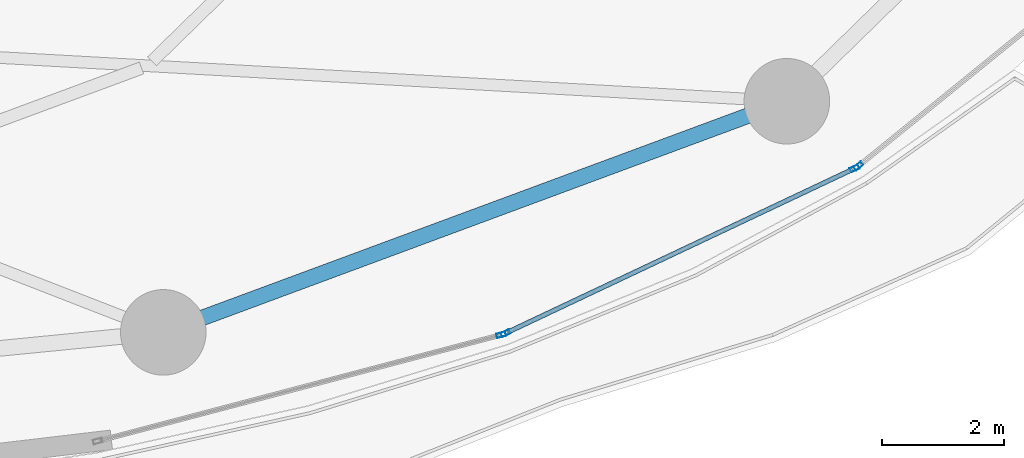
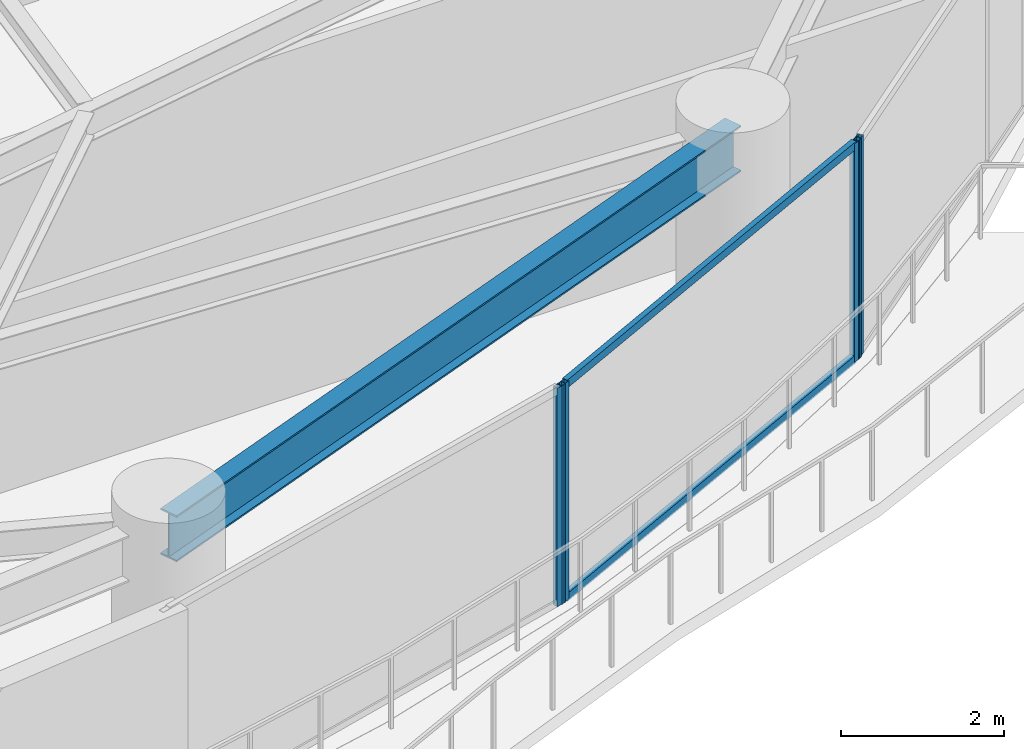
# One storey, part 14 of 30: 6 members, 1 beam, 3 elements without a shape of their own.
"""IFC4 building model written with IfcOpenShell, lengths in metres."""

from ifc_helpers import new_model, si_unit, direction, frame, origin, origin_2d, place, context, subcontext, project, spatial, hollow_rectangle, i_section, extrude, material, layer, layer_set, material_profile, profile_set, type_object, element, aggregate, save


model = new_model("IFC4")

# Units and contexts
model_context = context("Model", 3, precision=1e-05, world=origin(), true_north=direction((0.0, 1.0)))
body_context = subcontext(model_context, "Body", "Model", "MODEL_VIEW")
ifc_project = project(units=[si_unit("LENGTHUNIT", "METRE"), si_unit("AREAUNIT", "SQUARE_METRE"), si_unit("VOLUMEUNIT", "CUBIC_METRE"), si_unit("PLANEANGLEUNIT", "RADIAN"), si_unit("MASSUNIT", "GRAM", prefix="KILO")], contexts=[model_context])

# Site, building, storey
site_placement = place(None, origin())
site = spatial("IfcSite", under=ifc_project, at=site_placement, CompositionType="ELEMENT")
building_placement = place(site_placement, origin())
building = spatial("IfcBuilding", under=site, at=building_placement, Name="Kazevale Care Tower and Concert Hall", CompositionType="ELEMENT")
storey_placement = place(building_placement, frame((0.0, 0.0, 88.800048828125)))
storey = spatial("IfcBuildingStorey", under=building, at=storey_placement, Name="L23", CompositionType="ELEMENT", Elevation=88.800048828125)

# Curtain wall, member
ifc_material_1 = material(Name="Aluminium 6063-T6 and Low-E Glass", Category="aluminium")
ifc_layer = layer(ifc_material_1, 0.179931640625)
ifc_layer_set = layer_set([ifc_layer], Name="Aluminium 6063-T6 and Low-E Glass")
curtain_wall_type = type_object("IfcCurtainWallType", Name="Sheltered Concave Balcony Curtain Wall CW-5", PredefinedType="NOTDEFINED", material=ifc_layer_set)
curtain_wall_1_placement = place(storey_placement, origin())
curtain_wall_1 = element("IfcCurtainWall", 1, at=curtain_wall_1_placement, inside=storey, type_object=curtain_wall_type, Name="cw:L23:f02", PredefinedType="NOTDEFINED")
ifc_material_2 = material(Name="Aluminium 6063-T6", Category="aluminium")
ifc_material_profile_1 = material_profile(ifc_material_2, hollow_rectangle(XDim=0.074951171875, YDim=0.14990234375, WallThickness=0.00390625, at=origin_2d()), Name="ALU75x150x4")
ifc_profile_set_1 = profile_set([ifc_material_profile_1], Name="Aluminium 6063-T6")
member_type_1 = type_object("IfcMemberType", Name="CW-5 Mullion ALU75x150x4", PredefinedType="MULLION", material=ifc_profile_set_1)
member_1_placement = place(storey_placement, frame((68.41015625, 21.250732421875, 0.0), z_axis=(0.0, 0.0, 1.0), x_axis=(0.629994732952, -0.77659940539, 0.0)))
member_1 = element("IfcMember", 2, at=member_1_placement, type_object=member_type_1, Name="CW-5 mullion 2", PredefinedType="MULLION", context=body_context, shape_type="SweptSolid", body=[
    extrude(hollow_rectangle(XDim=0.074951171875, YDim=0.14990234375, WallThickness=0.00390625, at=origin_2d()), origin(), (0.0, 0.0, 1.0), 3.280029296875),
])
aggregate(curtain_wall_1, [member_1])

# Curtain wall, members
curtain_wall_2_placement = place(storey_placement, origin())
curtain_wall_2 = element("IfcCurtainWall", 3, at=curtain_wall_2_placement, inside=storey, type_object=curtain_wall_type, Name="cw:L23:f03", PredefinedType="NOTDEFINED")
member_2_placement = place(storey_placement, frame((68.34716796875, 21.2109375, 0.0), z_axis=(0.0, 0.0, 1.0), x_axis=(0.426942320459, -0.904278859092, 0.0)))
member_2 = element("IfcMember", 4, at=member_2_placement, type_object=member_type_1, Name="CW-5 mullion 1", PredefinedType="MULLION", context=body_context, shape_type="SweptSolid", body=[
    extrude(hollow_rectangle(XDim=0.074951171875, YDim=0.14990234375, WallThickness=0.00390625, at=origin_2d()), origin(), (0.0, 0.0, 1.0), 3.280029296875),
])
member_3_placement = place(storey_placement, frame((62.636962890625, 18.514892578125, 0.0), z_axis=(0.0, 0.0, 1.0), x_axis=(0.426942320459, -0.904278859092, 0.0)))
member_3 = element("IfcMember", 5, at=member_3_placement, type_object=member_type_1, Name="CW-5 mullion 2", PredefinedType="MULLION", context=body_context, shape_type="SweptSolid", body=[
    extrude(hollow_rectangle(XDim=0.074951171875, YDim=0.14990234375, WallThickness=0.00390625, at=origin_2d()), origin(), (0.0, 0.0, 1.0), 3.280029296875),
])

# Curtain wall, member
curtain_wall_3_placement = place(storey_placement, origin())
curtain_wall_3 = element("IfcCurtainWall", 6, at=curtain_wall_3_placement, inside=storey, type_object=curtain_wall_type, Name="cw:L23:f04", PredefinedType="NOTDEFINED")
member_4_placement = place(storey_placement, frame((62.566650390625, 18.489501953125, 0.0), z_axis=(0.0, 0.0, 1.0), x_axis=(0.254828630267, -0.966986230097, 0.0)))
member_4 = element("IfcMember", 7, at=member_4_placement, type_object=member_type_1, Name="CW-5 mullion 1", PredefinedType="MULLION", context=body_context, shape_type="SweptSolid", body=[
    extrude(hollow_rectangle(XDim=0.074951171875, YDim=0.14990234375, WallThickness=0.00390625, at=origin_2d()), origin(), (0.0, 0.0, 1.0), 3.280029296875),
])
aggregate(curtain_wall_3, [member_4])

# Member
ifc_material_profile_2 = material_profile(ifc_material_2, hollow_rectangle(XDim=0.074951171875, YDim=0.1201171875, WallThickness=0.00390625, at=origin_2d()), Name="ALU75x120x4")
ifc_profile_set_2 = profile_set([ifc_material_profile_2], Name="Aluminium 6063-T6")
member_type_2 = type_object("IfcMemberType", Name="CW-5 Transom ALU75x120x4", PredefinedType="USERDEFINED", material=ifc_profile_set_2)
member_5_placement = place(storey_placement, frame((68.313232421875, 21.195068359375, 0.037353515625), z_axis=(-0.904271726847, -0.426957426479, 0.0), x_axis=(0.426957426479, -0.904271726847, 0.0)))
member_5 = element("IfcMember", 8, at=member_5_placement, type_object=member_type_2, Name="CW-5 transom 1.1", ObjectType="TRANSOM", PredefinedType="USERDEFINED", context=body_context, shape_type="SweptSolid", body=[
    extrude(hollow_rectangle(XDim=0.074951171875, YDim=0.1201171875, WallThickness=0.00390625, at=origin_2d()), origin(), (0.0, 0.0, 1.0), 6.23974609375),
])

member_6_placement = place(storey_placement, frame((68.313232421875, 21.195068359375, 3.242431640625), z_axis=(-0.904271726847, -0.426957426479, 0.0), x_axis=(0.426957426479, -0.904271726847, 0.0)))
member_6 = element("IfcMember", 9, at=member_6_placement, type_object=member_type_2, Name="CW-5 transom 1.2", ObjectType="TRANSOM", PredefinedType="USERDEFINED", context=body_context, shape_type="SweptSolid", body=[
    extrude(hollow_rectangle(XDim=0.074951171875, YDim=0.1201171875, WallThickness=0.00390625, at=origin_2d()), origin(), (0.0, 0.0, 1.0), 6.23974609375),
])

aggregate(curtain_wall_2, [member_2, member_3, member_5, member_6])

# Beam
ifc_material_3 = material(Name="Steel ASTM A572 Gr 50", Category="steel")
ifc_material_profile_3 = material_profile(ifc_material_3, i_section(OverallWidth=0.256103515625, OverallDepth=0.693115234375, WebThickness=0.014404296875, FlangeThickness=0.023681640625, at=origin_2d()), Name="W690x170")
ifc_profile_set_3 = profile_set([ifc_material_profile_3], Name="Steel ASTM A572 Gr 50")
beam_type = type_object("IfcBeamType", Name="Waist Ring Beam W690x170", PredefinedType="BEAM", material=ifc_profile_set_3)
beam_placement = place(storey_placement, frame((57.0400390625, 18.530029296875, 2.933349609375), z_axis=(0.937680788596, 0.347497825458, 0.0), x_axis=(-0.347497825458, 0.937680788596, 0.0)))
element("IfcBeam", 10, at=beam_placement, inside=storey, type_object=beam_type, Name="beam:L23:ring:14", PredefinedType="BEAM", context=body_context, shape_type="SweptSolid", body=[
    extrude(i_section(OverallWidth=0.256103515625, OverallDepth=0.693115234375, WebThickness=0.014404296875, FlangeThickness=0.023681640625, at=origin_2d()), origin(), (0.0, 0.0, 1.0), 10.8779296875),
])

save(model, "model.ifc")
